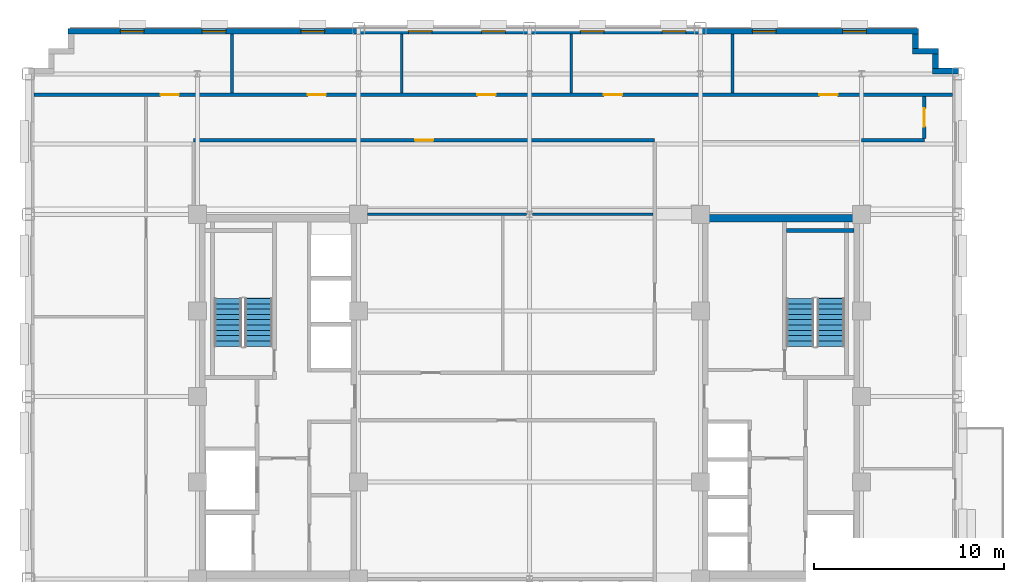
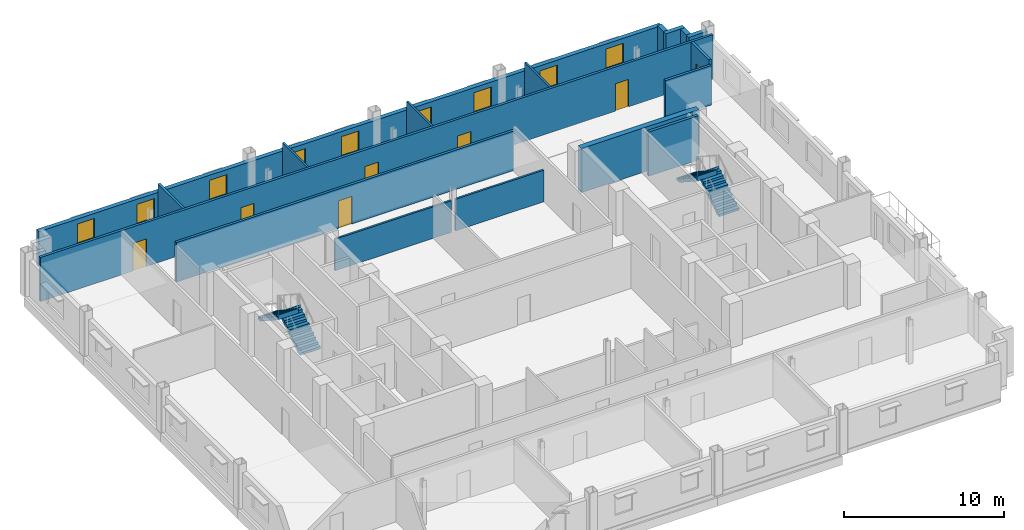
# One storey, part 10 of 14: 17 walls, 9 windows, 7 doors, 4 stair flights, 16 openings, 2 elements without a shape of their own.
"""IFC4 building model written with IfcOpenShell, lengths in metres."""

from ifc_helpers import new_model, si_unit, direction, frame, frame_2d, origin, place, context, subcontext, project, spatial, polyline, rectangle, outline, extrude, source, transform, mapped, material, layer, layer_set, type_object, type_shapes, element, fill, aggregate, save


model = new_model("IFC4")

# Units and contexts
model_context = context("Model", 3, precision=1e-05, world=origin(), true_north=direction((0.0, 1.0)))
body_context = subcontext(model_context, "Body", "Model", "MODEL_VIEW")
ifc_project = project(units=[si_unit("LENGTHUNIT", "METRE"), si_unit("AREAUNIT", "SQUARE_METRE"), si_unit("VOLUMEUNIT", "CUBIC_METRE"), si_unit("PLANEANGLEUNIT", "RADIAN"), si_unit("MASSUNIT", "GRAM", prefix="KILO")], contexts=[model_context])

# Site, building, storey
site_placement = place(None, origin())
site = spatial("IfcSite", under=ifc_project, at=site_placement, CompositionType="ELEMENT")
building_placement = place(site_placement, origin())
building = spatial("IfcBuilding", under=site, at=building_placement, Name="Nuvemarco Arch Tower", CompositionType="ELEMENT")
storey_placement = place(building_placement, frame((0.0, 0.0, 178.60009765625)))
storey = spatial("IfcBuildingStorey", under=building, at=storey_placement, Name="L47", CompositionType="ELEMENT", Elevation=178.60009765625)

# Walls
ifc_material_1 = material(Name="Precast concrete C45/55", Category="concrete")
ifc_layer_1 = layer(ifc_material_1, 0.31005859375, Name="EW-UPP-310")
ifc_layer_set_1 = layer_set([ifc_layer_1], Name="Precast concrete C45/55")
wall_type_1 = type_object("IfcWallType", Name="EW-UPP-310", PredefinedType="STANDARD", material=ifc_layer_set_1)
wall_1_placement = place(storey_placement, frame((21.239990234375, 17.14501953125, 0.0), z_axis=(0.0, 0.0, 1.0), x_axis=(1.0, 0.0, 0.0)))
element("IfcWall", 1, at=wall_1_placement, inside=storey, type_object=wall_type_1, Name="L47 exterior precast facade wall 7", PredefinedType="STANDARD", context=body_context, shape_type="SweptSolid", body=[
    extrude(rectangle(XDim=1.360107421875, YDim=0.31005859375, at=frame_2d((0.68017578125, 0.0))), origin(), (0.0, 0.0, 1.0), 2.81591796875),
])
wall_2_placement = place(storey_placement, frame((21.39501953125, 17.2958984375, 0.0), z_axis=(0.0, 0.0, 1.0), x_axis=(0.0, 1.0, 0.0)))
element("IfcWall", 2, at=wall_2_placement, inside=storey, type_object=wall_type_1, Name="L47 exterior precast facade wall 8", PredefinedType="STANDARD", context=body_context, shape_type="SweptSolid", body=[
    extrude(rectangle(XDim=0.748046875, YDim=0.31005859375, at=frame_2d((0.3740234375, 0.0))), origin(), (0.0, 0.0, 1.0), 2.81591796875),
])
wall_3_placement = place(storey_placement, frame((20.18994140625, 18.195068359375, 0.0), z_axis=(0.0, 0.0, 1.0), x_axis=(1.0, 0.0, 0.0)))
element("IfcWall", 3, at=wall_3_placement, inside=storey, type_object=wall_type_1, Name="L47 exterior precast facade wall 9", PredefinedType="STANDARD", context=body_context, shape_type="SweptSolid", body=[
    extrude(rectangle(XDim=1.360107421875, YDim=0.31005859375, at=frame_2d((0.68017578125, 0.0))), origin(), (0.0, 0.0, 1.0), 2.81591796875),
])
wall_4_placement = place(storey_placement, frame((20.344970703125, 18.345947265625, 0.0), z_axis=(0.0, 0.0, 1.0), x_axis=(0.0, 1.0, 0.0)))
element("IfcWall", 4, at=wall_4_placement, inside=storey, type_object=wall_type_1, Name="L47 exterior precast facade wall 10", PredefinedType="STANDARD", context=body_context, shape_type="SweptSolid", body=[
    extrude(rectangle(XDim=0.748046875, YDim=0.31005859375, at=frame_2d((0.3740234375, 0.0))), origin(), (0.0, 0.0, 1.0), 2.81591796875),
])

# Wall, openings, windows
wall_5_placement = place(storey_placement, frame((-24.300048828125, 19.2451171875, 0.0), z_axis=(0.0, 0.0, 1.0), x_axis=(1.0, 0.0, 0.0)))
wall_5 = element("IfcWall", 5, at=wall_5_placement, inside=storey, type_object=wall_type_1, Name="L47 exterior precast facade wall 11", PredefinedType="STANDARD", context=body_context, shape_type="SweptSolid", body=[
    extrude(rectangle(XDim=44.800048828125, YDim=0.31005859375, at=frame_2d((22.39990234375, 0.0))), origin(), (0.0, 0.0, 1.0), 2.704833984375),
])
opening_1_placement = place(wall_5_placement, frame((2.752685546875, 0.0, 0.800048828125)))
opening_1 = element("IfcOpeningElement", 6, at=opening_1_placement, cuts=wall_5, Name="Opening WN-13", PredefinedType="OPENING", context=body_context, shape_type="SweptSolid", body=[
    extrude(rectangle(XDim=1.25, YDim=1.52001953125, at=frame_2d((0.625, 0.760009765625))), frame((0.0, 0.1650390625, 0.0), z_axis=(0.0, -1.0, 0.0), x_axis=(1.0, 0.0, 0.0)), (0.0, 0.0, 1.0), 0.330078125),
])
opening_2_placement = place(wall_5_placement, frame((7.058349609375, 0.0, 0.800048828125)))
opening_2 = element("IfcOpeningElement", 7, at=opening_2_placement, cuts=wall_5, Name="Opening WN-13", PredefinedType="OPENING", context=body_context, shape_type="SweptSolid", body=[
    extrude(rectangle(XDim=1.25, YDim=1.52001953125, at=frame_2d((0.625, 0.760009765625))), frame((0.0, 0.1650390625, 0.0), z_axis=(0.0, -1.0, 0.0), x_axis=(1.0, 0.0, 0.0)), (0.0, 0.0, 1.0), 0.330078125),
])
opening_3_placement = place(wall_5_placement, frame((12.263916015625, 0.0, 0.800048828125)))
opening_3 = element("IfcOpeningElement", 8, at=opening_3_placement, cuts=wall_5, Name="Opening WN-13", PredefinedType="OPENING", context=body_context, shape_type="SweptSolid", body=[
    extrude(rectangle(XDim=1.25, YDim=1.52001953125, at=frame_2d((0.625, 0.760009765625))), frame((0.0, 0.1650390625, 0.0), z_axis=(0.0, -1.0, 0.0), x_axis=(1.0, 0.0, 0.0)), (0.0, 0.0, 1.0), 0.330078125),
])
opening_4_placement = place(wall_5_placement, frame((17.91943359375, 0.0, 0.800048828125)))
opening_4 = element("IfcOpeningElement", 9, at=opening_4_placement, cuts=wall_5, Name="Opening WN-13", PredefinedType="OPENING", context=body_context, shape_type="SweptSolid", body=[
    extrude(rectangle(XDim=1.25, YDim=1.52001953125, at=frame_2d((0.625, 0.760009765625))), frame((0.0, 0.1650390625, 0.0), z_axis=(0.0, -1.0, 0.0), x_axis=(1.0, 0.0, 0.0)), (0.0, 0.0, 1.0), 0.330078125),
])
opening_5_placement = place(wall_5_placement, frame((21.77490234375, 0.0, 0.800048828125)))
opening_5 = element("IfcOpeningElement", 10, at=opening_5_placement, cuts=wall_5, Name="Opening WN-13", PredefinedType="OPENING", context=body_context, shape_type="SweptSolid", body=[
    extrude(rectangle(XDim=1.25, YDim=1.52001953125, at=frame_2d((0.625, 0.760009765625))), frame((0.0, 0.1650390625, 0.0), z_axis=(0.0, -1.0, 0.0), x_axis=(1.0, 0.0, 0.0)), (0.0, 0.0, 1.0), 0.330078125),
])
opening_6_placement = place(wall_5_placement, frame((26.980712890625, 0.0, 0.800048828125)))
opening_6 = element("IfcOpeningElement", 11, at=opening_6_placement, cuts=wall_5, Name="Opening WN-13", PredefinedType="OPENING", context=body_context, shape_type="SweptSolid", body=[
    extrude(rectangle(XDim=1.25, YDim=1.52001953125, at=frame_2d((0.625, 0.760009765625))), frame((0.0, 0.1650390625, 0.0), z_axis=(0.0, -1.0, 0.0), x_axis=(1.0, 0.0, 0.0)), (0.0, 0.0, 1.0), 0.330078125),
])
opening_7_placement = place(wall_5_placement, frame((31.2861328125, 0.0, 0.800048828125)))
opening_7 = element("IfcOpeningElement", 12, at=opening_7_placement, cuts=wall_5, Name="Opening WN-13", PredefinedType="OPENING", context=body_context, shape_type="SweptSolid", body=[
    extrude(rectangle(XDim=1.25, YDim=1.52001953125, at=frame_2d((0.625, 0.760009765625))), frame((0.0, 0.1650390625, 0.0), z_axis=(0.0, -1.0, 0.0), x_axis=(1.0, 0.0, 0.0)), (0.0, 0.0, 1.0), 0.330078125),
])
opening_8_placement = place(wall_5_placement, frame((36.041748046875, 0.0, 0.800048828125)))
opening_8 = element("IfcOpeningElement", 13, at=opening_8_placement, cuts=wall_5, Name="Opening WN-13", PredefinedType="OPENING", context=body_context, shape_type="SweptSolid", body=[
    extrude(rectangle(XDim=1.25, YDim=1.52001953125, at=frame_2d((0.625, 0.760009765625))), frame((0.0, 0.1650390625, 0.0), z_axis=(0.0, -1.0, 0.0), x_axis=(1.0, 0.0, 0.0)), (0.0, 0.0, 1.0), 0.330078125),
])
opening_9_placement = place(wall_5_placement, frame((40.797119140625, 0.0, 0.800048828125)))
opening_9 = element("IfcOpeningElement", 14, at=opening_9_placement, cuts=wall_5, Name="Opening WN-13", PredefinedType="OPENING", context=body_context, shape_type="SweptSolid", body=[
    extrude(rectangle(XDim=1.25, YDim=1.52001953125, at=frame_2d((0.625, 0.760009765625))), frame((0.0, 0.1650390625, 0.0), z_axis=(0.0, -1.0, 0.0), x_axis=(1.0, 0.0, 0.0)), (0.0, 0.0, 1.0), 0.330078125),
])
ifc_material_2 = material(Name="Insulated solar-control glass", Category="glass")
window_type = type_object("IfcWindowType", Name="WN-SET-1250x1520", PartitioningType="SINGLE_PANEL", PredefinedType="WINDOW", material=ifc_material_2)
shared_shape_1 = source(origin(), body_context, "Body", "SweptSolid", [
    extrude(rectangle(XDim=1.25, YDim=1.52001953125, at=frame_2d((0.625, 0.760009765625))), frame((0.0, 0.030029296875, 0.0), z_axis=(0.0, -1.0, 0.0), x_axis=(1.0, 0.0, 0.0)), (0.0, 0.0, 1.0), 0.06005859375),
])
type_shapes(window_type, [shared_shape_1])
window_1_placement = place(opening_1_placement, origin())
window_1 = element("IfcWindow", 15, at=window_1_placement, inside=storey, type_object=window_type, Name="L47 punched facade window 1", OverallHeight=1.52001953125, OverallWidth=1.25, PartitioningType="SINGLE_PANEL", PredefinedType="WINDOW", context=body_context, shape_type="MappedRepresentation", body=[
    mapped(shared_shape_1, transform((0.0, 0.0, 0.0), scale=1.0)),
])
fill(opening_1, window_1)
window_2_placement = place(opening_2_placement, origin())
window_2 = element("IfcWindow", 16, at=window_2_placement, inside=storey, type_object=window_type, Name="L47 punched facade window 2", OverallHeight=1.52001953125, OverallWidth=1.25, PartitioningType="SINGLE_PANEL", PredefinedType="WINDOW", context=body_context, shape_type="MappedRepresentation", body=[
    mapped(shared_shape_1, transform((0.0, 0.0, 0.0), scale=1.0)),
])
fill(opening_2, window_2)
window_3_placement = place(opening_3_placement, origin())
window_3 = element("IfcWindow", 17, at=window_3_placement, inside=storey, type_object=window_type, Name="L47 punched facade window 3", OverallHeight=1.52001953125, OverallWidth=1.25, PartitioningType="SINGLE_PANEL", PredefinedType="WINDOW", context=body_context, shape_type="MappedRepresentation", body=[
    mapped(shared_shape_1, transform((0.0, 0.0, 0.0), scale=1.0)),
])
fill(opening_3, window_3)
window_4_placement = place(opening_4_placement, origin())
window_4 = element("IfcWindow", 18, at=window_4_placement, inside=storey, type_object=window_type, Name="L47 punched facade window 4", OverallHeight=1.52001953125, OverallWidth=1.25, PartitioningType="SINGLE_PANEL", PredefinedType="WINDOW", context=body_context, shape_type="MappedRepresentation", body=[
    mapped(shared_shape_1, transform((0.0, 0.0, 0.0), scale=1.0)),
])
fill(opening_4, window_4)
window_5_placement = place(opening_5_placement, origin())
window_5 = element("IfcWindow", 19, at=window_5_placement, inside=storey, type_object=window_type, Name="L47 punched facade window 5", OverallHeight=1.52001953125, OverallWidth=1.25, PartitioningType="SINGLE_PANEL", PredefinedType="WINDOW", context=body_context, shape_type="MappedRepresentation", body=[
    mapped(shared_shape_1, transform((0.0, 0.0, 0.0), scale=1.0)),
])
fill(opening_5, window_5)
window_6_placement = place(opening_6_placement, origin())
window_6 = element("IfcWindow", 20, at=window_6_placement, inside=storey, type_object=window_type, Name="L47 punched facade window 6", OverallHeight=1.52001953125, OverallWidth=1.25, PartitioningType="SINGLE_PANEL", PredefinedType="WINDOW", context=body_context, shape_type="MappedRepresentation", body=[
    mapped(shared_shape_1, transform((0.0, 0.0, 0.0), scale=1.0)),
])
fill(opening_6, window_6)
window_7_placement = place(opening_7_placement, origin())
window_7 = element("IfcWindow", 21, at=window_7_placement, inside=storey, type_object=window_type, Name="L47 punched facade window 7", OverallHeight=1.52001953125, OverallWidth=1.25, PartitioningType="SINGLE_PANEL", PredefinedType="WINDOW", context=body_context, shape_type="MappedRepresentation", body=[
    mapped(shared_shape_1, transform((0.0, 0.0, 0.0), scale=1.0)),
])
fill(opening_7, window_7)
window_8_placement = place(opening_8_placement, origin())
window_8 = element("IfcWindow", 22, at=window_8_placement, inside=storey, type_object=window_type, Name="L47 punched facade window 8", OverallHeight=1.52001953125, OverallWidth=1.25, PartitioningType="SINGLE_PANEL", PredefinedType="WINDOW", context=body_context, shape_type="MappedRepresentation", body=[
    mapped(shared_shape_1, transform((0.0, 0.0, 0.0), scale=1.0)),
])
fill(opening_8, window_8)
window_9_placement = place(opening_9_placement, origin())
window_9 = element("IfcWindow", 23, at=window_9_placement, inside=storey, type_object=window_type, Name="L47 punched facade window 9", OverallHeight=1.52001953125, OverallWidth=1.25, PartitioningType="SINGLE_PANEL", PredefinedType="WINDOW", context=body_context, shape_type="MappedRepresentation", body=[
    mapped(shared_shape_1, transform((0.0, 0.0, 0.0), scale=1.0)),
])
fill(opening_9, window_9)

# Wall
ifc_material_3 = material(Name="Concrete C60/75", Category="concrete")
ifc_layer_2 = layer(ifc_material_3, 0.39990234375, Name="WL-CORE-400")
ifc_layer_set_2 = layer_set([ifc_layer_2], Name="Concrete C60/75")
wall_type_2 = type_object("IfcWallType", Name="WL-CORE-400", PredefinedType="SHEAR", material=ifc_layer_set_2)
wall_6_placement = place(storey_placement, frame((9.0, 9.39990234375, 0.0), z_axis=(0.0, 0.0, 1.0), x_axis=(1.0, 0.0, 0.0)))
element("IfcWall", 24, at=wall_6_placement, inside=storey, type_object=wall_type_2, Name="L47 E-core shear wall N", PredefinedType="SHEAR", context=body_context, shape_type="SweptSolid", body=[
    extrude(rectangle(XDim=8.5, YDim=0.39990234375, at=frame_2d((4.25, 0.0))), origin(), (0.0, 0.0, 1.0), 3.369873046875),
])

# Wall, opening, door
ifc_material_4 = material(Name="Fire-rated gypsum drywall partition")
ifc_layer_3 = layer(ifc_material_4, 0.179931640625, Name="WL-CORR-180")
ifc_layer_set_3 = layer_set([ifc_layer_3], Name="Fire-rated gypsum drywall partition")
wall_type_3 = type_object("IfcWallType", Name="WL-CORR-180", PredefinedType="PARTITIONING", material=ifc_layer_set_3)
wall_7_placement = place(storey_placement, frame((-17.699951171875, 13.5, 0.0), z_axis=(0.0, 0.0, 1.0), x_axis=(1.0, 0.0, 0.0)))
wall_7 = element("IfcWall", 25, at=wall_7_placement, inside=storey, type_object=wall_type_3, Name="L47 interior wall IW-L47-012", PredefinedType="PARTITIONING", context=body_context, shape_type="SweptSolid", body=[
    extrude(rectangle(XDim=24.300048828125, YDim=0.179931640625, at=frame_2d((12.14990234375, 0.0))), origin(), (0.0, 0.0, 1.0), 3.0078125),
])
opening_10_placement = place(wall_7_placement, frame((11.669921875, 0.0, 0.0)))
opening_10 = element("IfcOpeningElement", 26, at=opening_10_placement, cuts=wall_7, Name="Opening FD-5", PredefinedType="OPENING", context=body_context, shape_type="SweptSolid", body=[
    extrude(rectangle(XDim=0.9599609375, YDim=2.10009765625, at=frame_2d((0.47998046875, 1.050048828125))), frame((0.0, 0.099853515625, 0.0), z_axis=(0.0, -1.0, 0.0), x_axis=(1.0, 0.0, 0.0)), (0.0, 0.0, 1.0), 0.199951171875),
])
ifc_material_5 = material(Name="Timber fire door", Category="wood")
door_type = type_object("IfcDoorType", Name="DR-CORR-FD", OperationType="NOTDEFINED", PredefinedType="DOOR", material=ifc_material_5)
shared_shape_2 = source(origin(), body_context, "Body", "SweptSolid", [
    extrude(rectangle(XDim=0.9599609375, YDim=2.10009765625, at=frame_2d((0.47998046875, 1.050048828125))), frame((0.0, 0.02490234375, 0.0), z_axis=(0.0, -1.0, 0.0), x_axis=(1.0, 0.0, 0.0)), (0.0, 0.0, 1.0), 0.050048828125),
])
type_shapes(door_type, [shared_shape_2])
door_1_placement = place(opening_10_placement, origin())
door_1 = element("IfcDoor", 27, at=door_1_placement, inside=storey, type_object=door_type, Name="L47 door DR-L47-IN_N1", OperationType="SINGLE_SWING_RIGHT", OverallHeight=2.10009765625, OverallWidth=0.9599609375, PredefinedType="DOOR", context=body_context, shape_type="MappedRepresentation", body=[
    mapped(shared_shape_2, transform((0.0, 0.0, 0.0), scale=1.0)),
])
fill(opening_10, door_1)

# Wall
wall_8_placement = place(storey_placement, frame((17.5, 13.5, 0.0), z_axis=(0.0, 0.0, 1.0), x_axis=(1.0, 0.0, 0.0)))
element("IfcWall", 28, at=wall_8_placement, inside=storey, type_object=wall_type_3, Name="L47 interior wall IW-L47-013", PredefinedType="PARTITIONING", context=body_context, shape_type="SweptSolid", body=[
    extrude(rectangle(XDim=3.300048828125, YDim=0.179931640625, at=frame_2d((1.64990234375, 0.0))), origin(), (0.0, 0.0, 1.0), 3.0078125),
])

# Wall, openings, doors
wall_9_placement = place(storey_placement, frame((-26.090087890625, 15.89990234375, 0.0), z_axis=(0.0, 0.0, 1.0), x_axis=(1.0, 0.0, 0.0)))
wall_9 = element("IfcWall", 29, at=wall_9_placement, inside=storey, type_object=wall_type_3, Name="L47 interior wall IW-L47-014", PredefinedType="PARTITIONING", context=body_context, shape_type="SweptSolid", body=[
    extrude(rectangle(XDim=48.380126953125, YDim=0.179931640625, at=frame_2d((24.18994140625, 0.0))), origin(), (0.0, 0.0, 1.0), 3.35986328125),
])
opening_11_placement = place(wall_9_placement, frame((41.360107421875, 0.0, 0.0)))
opening_11 = element("IfcOpeningElement", 30, at=opening_11_placement, cuts=wall_9, Name="Opening FD-5", PredefinedType="OPENING", context=body_context, shape_type="SweptSolid", body=[
    extrude(rectangle(XDim=0.9599609375, YDim=2.10009765625, at=frame_2d((0.47998046875, 1.050048828125))), frame((0.0, 0.099853515625, 0.0), z_axis=(0.0, -1.0, 0.0), x_axis=(1.0, 0.0, 0.0)), (0.0, 0.0, 1.0), 0.199951171875),
])
opening_12_placement = place(wall_9_placement, frame((23.35009765625, 0.0, 0.0)))
opening_12 = element("IfcOpeningElement", 31, at=opening_12_placement, cuts=wall_9, Name="Opening FD-5", PredefinedType="OPENING", context=body_context, shape_type="SweptSolid", body=[
    extrude(rectangle(XDim=0.9599609375, YDim=2.10009765625, at=frame_2d((0.47998046875, 1.050048828125))), frame((0.0, 0.099853515625, 0.0), z_axis=(0.0, -1.0, 0.0), x_axis=(1.0, 0.0, 0.0)), (0.0, 0.0, 1.0), 0.199951171875),
])
opening_13_placement = place(wall_9_placement, frame((14.409912109375, 0.0, 0.0)))
opening_13 = element("IfcOpeningElement", 32, at=opening_13_placement, cuts=wall_9, Name="Opening FD-5", PredefinedType="OPENING", context=body_context, shape_type="SweptSolid", body=[
    extrude(rectangle(XDim=0.9599609375, YDim=2.10009765625, at=frame_2d((0.47998046875, 1.050048828125))), frame((0.0, 0.099853515625, 0.0), z_axis=(0.0, -1.0, 0.0), x_axis=(1.0, 0.0, 0.0)), (0.0, 0.0, 1.0), 0.199951171875),
])
opening_14_placement = place(wall_9_placement, frame((30.014892578125, 0.0, 0.0)))
opening_14 = element("IfcOpeningElement", 33, at=opening_14_placement, cuts=wall_9, Name="Opening FD-5", PredefinedType="OPENING", context=body_context, shape_type="SweptSolid", body=[
    extrude(rectangle(XDim=0.9599609375, YDim=2.10009765625, at=frame_2d((0.47998046875, 1.050048828125))), frame((0.0, 0.099853515625, 0.0), z_axis=(0.0, -1.0, 0.0), x_axis=(1.0, 0.0, 0.0)), (0.0, 0.0, 1.0), 0.199951171875),
])
opening_15_placement = place(wall_9_placement, frame((6.659912109375, 0.0, 0.0)))
opening_15 = element("IfcOpeningElement", 34, at=opening_15_placement, cuts=wall_9, Name="Opening FD-5", PredefinedType="OPENING", context=body_context, shape_type="SweptSolid", body=[
    extrude(rectangle(XDim=0.9599609375, YDim=2.10009765625, at=frame_2d((0.47998046875, 1.050048828125))), frame((0.0, 0.099853515625, 0.0), z_axis=(0.0, -1.0, 0.0), x_axis=(1.0, 0.0, 0.0)), (0.0, 0.0, 1.0), 0.199951171875),
])
door_2_placement = place(opening_11_placement, origin())
door_2 = element("IfcDoor", 35, at=door_2_placement, inside=storey, type_object=door_type, Name="L47 door DR-L47-N_5", OperationType="SINGLE_SWING_LEFT", OverallHeight=2.10009765625, OverallWidth=0.9599609375, PredefinedType="DOOR", context=body_context, shape_type="MappedRepresentation", body=[
    mapped(shared_shape_2, transform((0.0, 0.0, 0.0), scale=1.0)),
])
fill(opening_11, door_2)
door_3_placement = place(opening_12_placement, origin())
door_3 = element("IfcDoor", 36, at=door_3_placement, inside=storey, type_object=door_type, Name="L47 door DR-L47-N_3", OperationType="SINGLE_SWING_RIGHT", OverallHeight=2.10009765625, OverallWidth=0.9599609375, PredefinedType="DOOR", context=body_context, shape_type="MappedRepresentation", body=[
    mapped(shared_shape_2, transform((0.0, 0.0, 0.0), scale=1.0)),
])
fill(opening_12, door_3)
door_4_placement = place(opening_13_placement, origin())
door_4 = element("IfcDoor", 37, at=door_4_placement, inside=storey, type_object=door_type, Name="L47 door DR-L47-N_2", OperationType="SINGLE_SWING_LEFT", OverallHeight=2.10009765625, OverallWidth=0.9599609375, PredefinedType="DOOR", context=body_context, shape_type="MappedRepresentation", body=[
    mapped(shared_shape_2, transform((0.0, 0.0, 0.0), scale=1.0)),
])
fill(opening_13, door_4)
door_5_placement = place(opening_14_placement, origin())
door_5 = element("IfcDoor", 38, at=door_5_placement, inside=storey, type_object=door_type, Name="L47 door DR-L47-N_4", OperationType="SINGLE_SWING_LEFT", OverallHeight=2.10009765625, OverallWidth=0.9599609375, PredefinedType="DOOR", context=body_context, shape_type="MappedRepresentation", body=[
    mapped(shared_shape_2, transform((0.0, 0.0, 0.0), scale=1.0)),
])
fill(opening_14, door_5)
door_6_placement = place(opening_15_placement, origin())
door_6 = element("IfcDoor", 39, at=door_6_placement, inside=storey, type_object=door_type, Name="L47 door DR-L47-N_1", OperationType="SINGLE_SWING_LEFT", OverallHeight=2.10009765625, OverallWidth=0.9599609375, PredefinedType="DOOR", context=body_context, shape_type="MappedRepresentation", body=[
    mapped(shared_shape_2, transform((0.0, 0.0, 0.0), scale=1.0)),
])
fill(opening_15, door_6)

# Wall
wall_10_placement = place(storey_placement, frame((-15.669921875, 15.986083984375, 0.0), z_axis=(0.0, 0.0, 1.0), x_axis=(0.0, 1.0, 0.0)))
element("IfcWall", 40, at=wall_10_placement, inside=storey, type_object=wall_type_3, Name="L47 interior wall IW-L47-019", PredefinedType="PARTITIONING", context=body_context, shape_type="SweptSolid", body=[
    extrude(rectangle(XDim=3.10400390625, YDim=0.179931640625, at=frame_2d((1.552001953125, 0.0))), origin(), (0.0, 0.0, 1.0), 3.35986328125),
])

# Wall, opening, door
wall_11_placement = place(storey_placement, frame((20.800048828125, 13.5859375, 0.0), z_axis=(0.0, 0.0, 1.0), x_axis=(0.0, 1.0, 0.0)))
wall_11 = element("IfcWall", 41, at=wall_11_placement, inside=storey, type_object=wall_type_3, Name="L47 interior wall IW-L47-034", PredefinedType="PARTITIONING", context=body_context, shape_type="SweptSolid", body=[
    extrude(rectangle(XDim=2.22802734375, YDim=0.179931640625, at=frame_2d((1.114013671875, 0.0))), origin(), (0.0, 0.0, 1.0), 3.35986328125),
])
opening_16_placement = place(wall_11_placement, frame((0.634033203125, 0.0, 0.0)))
opening_16 = element("IfcOpeningElement", 42, at=opening_16_placement, cuts=wall_11, Name="Opening FD-5", PredefinedType="OPENING", context=body_context, shape_type="SweptSolid", body=[
    extrude(rectangle(XDim=0.9599609375, YDim=2.10009765625, at=frame_2d((0.47998046875, 1.050048828125))), frame((0.0, 0.099853515625, 0.0), z_axis=(0.0, -1.0, 0.0), x_axis=(1.0, 0.0, 0.0)), (0.0, 0.0, 1.0), 0.199951171875),
])
door_7_placement = place(opening_16_placement, origin())
door_7 = element("IfcDoor", 43, at=door_7_placement, inside=storey, type_object=door_type, Name="L47 door DR-L47-E_2", OperationType="SINGLE_SWING_LEFT", OverallHeight=2.10009765625, OverallWidth=0.9599609375, PredefinedType="DOOR", context=body_context, shape_type="MappedRepresentation", body=[
    mapped(shared_shape_2, transform((0.0, 0.0, 0.0), scale=1.0)),
])
fill(opening_16, door_7)

# Walls
ifc_material_6 = material(Name="Gypsum plasterboard partition")
ifc_layer_4 = layer(ifc_material_6, 0.139892578125, Name="WL-ROOM-140")
ifc_layer_set_4 = layer_set([ifc_layer_4], Name="Gypsum plasterboard partition")
wall_type_4 = type_object("IfcWallType", Name="WL-ROOM-140", PredefinedType="PARTITIONING", material=ifc_layer_set_4)
wall_12_placement = place(storey_placement, frame((-8.529052734375, 9.60009765625, 0.0), z_axis=(0.0, 0.0, 1.0), x_axis=(1.0, 0.0, 0.0)))
element("IfcWall", 44, at=wall_12_placement, inside=storey, type_object=wall_type_4, Name="L47 interior wall IW-L47-010", PredefinedType="PARTITIONING", context=body_context, shape_type="SweptSolid", body=[
    extrude(rectangle(XDim=8.378173828125, YDim=0.139892578125, at=frame_2d((4.18896484375, 0.0))), origin(), (0.0, 0.0, 1.0), 2.40478515625),
])
wall_13_placement = place(storey_placement, frame((0.15087890625, 9.60009765625, 0.0), z_axis=(0.0, 0.0, 1.0), x_axis=(1.0, 0.0, 0.0)))
element("IfcWall", 45, at=wall_13_placement, inside=storey, type_object=wall_type_4, Name="L47 interior wall IW-L47-011", PredefinedType="PARTITIONING", context=body_context, shape_type="SweptSolid", body=[
    extrude(rectangle(XDim=6.363037109375, YDim=0.139892578125, at=frame_2d((3.181640625, 0.0))), origin(), (0.0, 0.0, 1.0), 2.40478515625),
])
for number, where, z_axis, x_axis, name in (
    (46, (-6.72998046875, 15.986083984375, 0.0), (0.0, 0.0, 1.0), (0.0, 1.0, 0.0), "L47 interior wall IW-L47-021"),
    (47, (2.2099609375, 15.986083984375, 0.0), (0.0, 0.0, 1.0), (0.0, 1.0, 0.0), "L47 interior wall IW-L47-026"),
    (48, (10.699951171875, 15.986083984375, 0.0), (0.0, 0.0, 1.0), (0.0, 1.0, 0.0), "L47 interior wall IW-L47-032"),
):
    element("IfcWall", number, at=place(storey_placement, frame(where, z_axis=z_axis, x_axis=x_axis)), inside=storey, type_object=wall_type_4, Name=name, PredefinedType="PARTITIONING", context=body_context, shape_type="SweptSolid", body=[
        extrude(rectangle(XDim=3.10400390625, YDim=0.139892578125, at=frame_2d((1.552001953125, 0.0))), origin(), (0.0, 0.0, 1.0), 3.35986328125),
    ])
ifc_material_7 = material(Name="Concrete C50/60", Category="concrete")
ifc_layer_5 = layer(ifc_material_7, 0.199951171875, Name="WL-SHAFT-220")
ifc_layer_set_5 = layer_set([ifc_layer_5], Name="Concrete C50/60")
wall_type_5 = type_object("IfcWallType", Name="WL-SHAFT-220", PredefinedType="SHEAR", material=ifc_layer_set_5)
wall_14_placement = place(storey_placement, frame((13.534912109375, 8.75, 0.0), z_axis=(0.0, 0.0, 1.0), x_axis=(1.0, 0.0, 0.0)))
element("IfcWall", 49, at=wall_14_placement, inside=storey, type_object=wall_type_5, Name="L47 structural shaft wall SW-L47-E-ST2N", PredefinedType="SHEAR", context=body_context, shape_type="SweptSolid", body=[
    extrude(rectangle(XDim=3.570068359375, YDim=0.199951171875, at=frame_2d((1.78515625, 0.0))), origin(), (0.0, 0.0, 1.0), 3.369873046875),
])

# Stair, stair flights
stair_type = type_object("IfcStairType", Name="ST-CORE-20R", PredefinedType="HALF_TURN_STAIR", material=ifc_material_1)
stair_1_placement = place(storey_placement, origin())
stair_1 = element("IfcStair", 50, at=stair_1_placement, inside=storey, type_object=stair_type, Name="L47 Protected Exit Stair ST-1", PredefinedType="HALF_TURN_STAIR")
stair_flight_type = type_object("IfcStairFlightType", Name="SF-CORE-20R", PredefinedType="STRAIGHT", material=ifc_material_1)
stair_flight_1_placement = place(storey_placement, frame((-14.264892578125, 2.64990234375, 0.0), z_axis=(0.0, 0.0, 1.0), x_axis=(0.0, 1.0, 0.0)))
stair_flight_1 = element("IfcStairFlight", 51, at=stair_flight_1_placement, type_object=stair_flight_type, Name="ST-20R flight 1", NumberOfRisers=10, NumberOfTreads=9, PredefinedType="STRAIGHT", RiserHeight=0.1825, TreadLength=0.28, context=body_context, shape_type="SweptSolid", body=[
    extrude(outline(polyline([(0.0, 0.0), (0.0, 0.1826171875), (0.280029296875, 0.1826171875), (0.280029296875, 0.364990234375), (0.56005859375, 0.364990234375), (0.56005859375, 0.547607421875), (0.840087890625, 0.547607421875), (0.840087890625, 0.72998046875), (1.1201171875, 0.72998046875), (1.1201171875, 0.91259765625), (1.39990234375, 0.91259765625), (1.39990234375, 1.094970703125), (1.679931640625, 1.094970703125), (1.679931640625, 1.277587890625), (1.9599609375, 1.277587890625), (1.9599609375, 1.4599609375), (2.239990234375, 1.4599609375), (2.239990234375, 1.642578125), (2.52001953125, 1.642578125), (2.52001953125, 1.824951171875), (2.5400390625, 1.824951171875), (2.5400390625, 1.45166015625), (0.312744140625, 0.0), (0.0, 0.0)])), frame((0.0, 0.72509765625, 0.0), z_axis=(0.0, -1.0, 0.0), x_axis=(1.0, 0.0, 0.0)), (0.0, 0.0, 1.0), 1.449951171875),
])
stair_flight_2_placement = place(storey_placement, frame((-15.875, 5.169921875, 1.824951171875), z_axis=(0.0, 0.0, 1.0), x_axis=(0.0, -1.0, 0.0)))
stair_flight_2 = element("IfcStairFlight", 52, at=stair_flight_2_placement, type_object=stair_flight_type, Name="ST-20R flight 2", NumberOfRisers=10, NumberOfTreads=9, PredefinedType="STRAIGHT", RiserHeight=0.1825, TreadLength=0.28, context=body_context, shape_type="SweptSolid", body=[
    extrude(outline(polyline([(0.0, 0.0), (0.0, 0.1826171875), (0.280029296875, 0.1826171875), (0.280029296875, 0.364990234375), (0.56005859375, 0.364990234375), (0.56005859375, 0.547607421875), (0.840087890625, 0.547607421875), (0.840087890625, 0.72998046875), (1.1201171875, 0.72998046875), (1.1201171875, 0.91259765625), (1.39990234375, 0.91259765625), (1.39990234375, 1.094970703125), (1.679931640625, 1.094970703125), (1.679931640625, 1.277587890625), (1.9599609375, 1.277587890625), (1.9599609375, 1.4599609375), (2.239990234375, 1.4599609375), (2.239990234375, 1.642578125), (2.52001953125, 1.642578125), (2.52001953125, 1.824951171875), (2.5400390625, 1.824951171875), (2.5400390625, 1.45166015625), (0.312744140625, 0.0), (0.0, 0.0)])), frame((0.0, 0.72509765625, 0.0), z_axis=(0.0, -1.0, 0.0), x_axis=(1.0, 0.0, 0.0)), (0.0, 0.0, 1.0), 1.449951171875),
])
aggregate(stair_1, [stair_flight_1, stair_flight_2])

stair_2_placement = place(storey_placement, origin())
stair_2 = element("IfcStair", 53, at=stair_2_placement, inside=storey, type_object=stair_type, Name="L47 Protected Exit Stair ST-2", PredefinedType="HALF_TURN_STAIR")
stair_flight_3_placement = place(storey_placement, frame((15.875, 2.64990234375, 0.0), z_axis=(0.0, 0.0, 1.0), x_axis=(0.0, 1.0, 0.0)))
stair_flight_3 = element("IfcStairFlight", 54, at=stair_flight_3_placement, type_object=stair_flight_type, Name="ST-20R flight 1", NumberOfRisers=10, NumberOfTreads=9, PredefinedType="STRAIGHT", RiserHeight=0.1825, TreadLength=0.28, context=body_context, shape_type="SweptSolid", body=[
    extrude(outline(polyline([(0.0, 0.0), (0.0, 0.1826171875), (0.280029296875, 0.1826171875), (0.280029296875, 0.364990234375), (0.56005859375, 0.364990234375), (0.56005859375, 0.547607421875), (0.840087890625, 0.547607421875), (0.840087890625, 0.72998046875), (1.1201171875, 0.72998046875), (1.1201171875, 0.91259765625), (1.39990234375, 0.91259765625), (1.39990234375, 1.094970703125), (1.679931640625, 1.094970703125), (1.679931640625, 1.277587890625), (1.9599609375, 1.277587890625), (1.9599609375, 1.4599609375), (2.239990234375, 1.4599609375), (2.239990234375, 1.642578125), (2.52001953125, 1.642578125), (2.52001953125, 1.824951171875), (2.5400390625, 1.824951171875), (2.5400390625, 1.45166015625), (0.312744140625, 0.0), (0.0, 0.0)])), frame((0.0, 0.72509765625, 0.0), z_axis=(0.0, -1.0, 0.0), x_axis=(1.0, 0.0, 0.0)), (0.0, 0.0, 1.0), 1.449951171875),
])
stair_flight_4_placement = place(storey_placement, frame((14.264892578125, 5.169921875, 1.824951171875), z_axis=(0.0, 0.0, 1.0), x_axis=(0.0, -1.0, 0.0)))
stair_flight_4 = element("IfcStairFlight", 55, at=stair_flight_4_placement, type_object=stair_flight_type, Name="ST-20R flight 2", NumberOfRisers=10, NumberOfTreads=9, PredefinedType="STRAIGHT", RiserHeight=0.1825, TreadLength=0.28, context=body_context, shape_type="SweptSolid", body=[
    extrude(outline(polyline([(0.0, 0.0), (0.0, 0.1826171875), (0.280029296875, 0.1826171875), (0.280029296875, 0.364990234375), (0.56005859375, 0.364990234375), (0.56005859375, 0.547607421875), (0.840087890625, 0.547607421875), (0.840087890625, 0.72998046875), (1.1201171875, 0.72998046875), (1.1201171875, 0.91259765625), (1.39990234375, 0.91259765625), (1.39990234375, 1.094970703125), (1.679931640625, 1.094970703125), (1.679931640625, 1.277587890625), (1.9599609375, 1.277587890625), (1.9599609375, 1.4599609375), (2.239990234375, 1.4599609375), (2.239990234375, 1.642578125), (2.52001953125, 1.642578125), (2.52001953125, 1.824951171875), (2.5400390625, 1.824951171875), (2.5400390625, 1.45166015625), (0.312744140625, 0.0), (0.0, 0.0)])), frame((0.0, 0.72509765625, 0.0), z_axis=(0.0, -1.0, 0.0), x_axis=(1.0, 0.0, 0.0)), (0.0, 0.0, 1.0), 1.449951171875),
])
aggregate(stair_2, [stair_flight_3, stair_flight_4])

save(model, "model.ifc")
